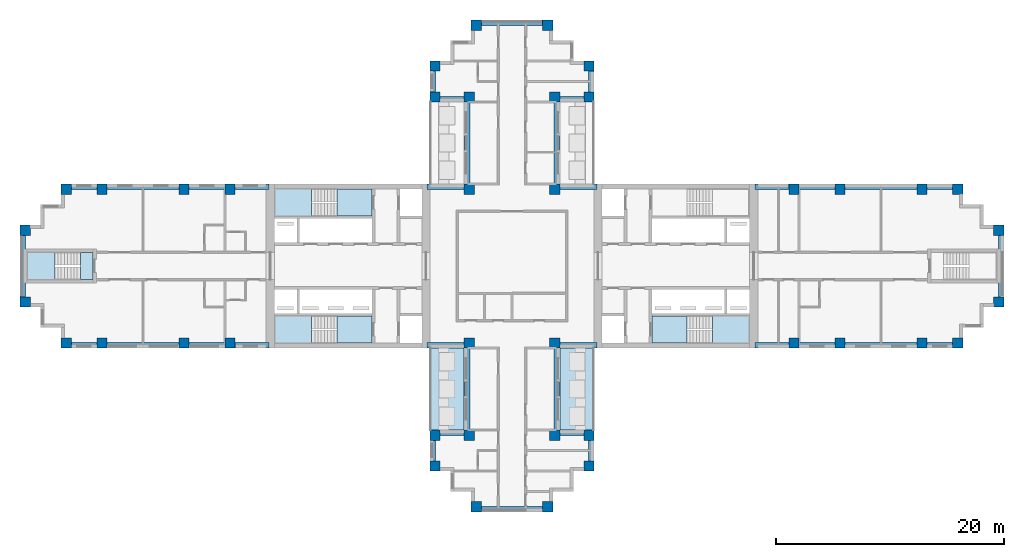
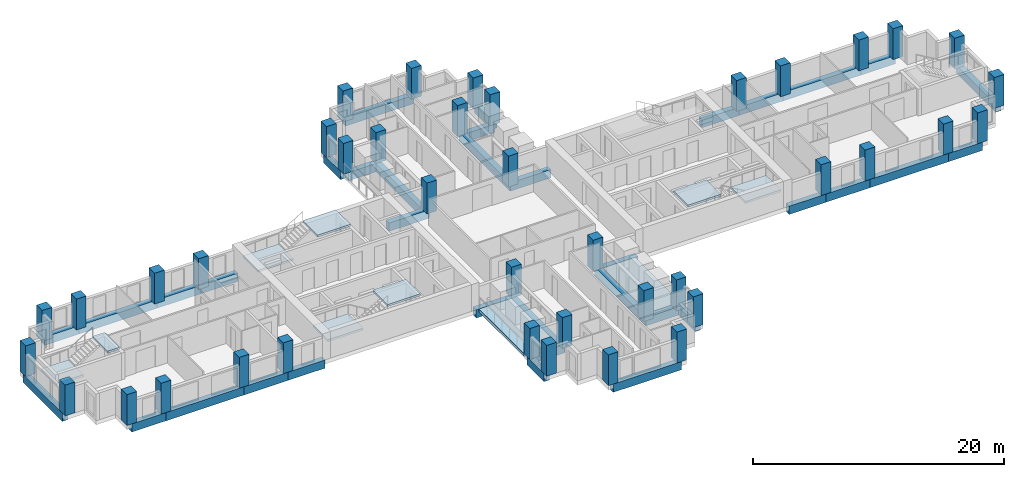
# One storey, part 1 of 11: 40 columns, 36 beams, 10 slabs, 4 elements without a shape of their own.
"""IFC4 building model written with IfcOpenShell, lengths in metres."""

from ifc_helpers import new_model, si_unit, direction, frame, origin, origin_2d, place, context, subcontext, project, spatial, polyline, rectangle, outline, extrude, material, layer, layer_set, material_profile, profile_set, type_object, element, aggregate, save


model = new_model("IFC4")

# Units and contexts
model_context = context("Model", 3, precision=1e-05, world=origin(), true_north=direction((0.0, 1.0)))
body_context = subcontext(model_context, "Body", "Model", "MODEL_VIEW")
ifc_project = project(units=[si_unit("LENGTHUNIT", "METRE"), si_unit("AREAUNIT", "SQUARE_METRE"), si_unit("VOLUMEUNIT", "CUBIC_METRE"), si_unit("PLANEANGLEUNIT", "RADIAN"), si_unit("MASSUNIT", "GRAM", prefix="KILO")], contexts=[model_context])

# Site, building, storey
site_placement = place(None, origin())
site = spatial("IfcSite", under=ifc_project, at=site_placement, CompositionType="ELEMENT")
building_placement = place(site_placement, origin())
building = spatial("IfcBuilding", under=site, at=building_placement, Name="Fustian Cross Tower", CompositionType="ELEMENT")
storey_placement = place(building_placement, frame((0.0, 0.0, 120.300048828125)))
storey = spatial("IfcBuildingStorey", under=building, at=storey_placement, Name="L37", CompositionType="ELEMENT", Elevation=120.300048828125)

# Columns
ifc_material_1 = material(Name="Concrete C50/60", Category="concrete")
ifc_material_profile_1 = material_profile(ifc_material_1, rectangle(XDim=0.89990234375, YDim=0.89990234375, at=origin_2d()), Name="RC 900x900")
ifc_profile_set_1 = profile_set([ifc_material_profile_1], Name="Concrete C50/60")
column_type = type_object("IfcColumnType", Name="COLUMN RC 900x900 C50/60", PredefinedType="COLUMN", material=ifc_profile_set_1)
for number, where, z_axis, x_axis, name in (
    (1, (-42.75, -3.14990234375, 0.0), (0.0, 0.0, 1.0), (1.0, 0.0, 0.0), "COLUMN 001"),
    (2, (-42.75, 3.14990234375, 0.0), (0.0, 0.0, 1.0), (1.0, 0.0, 0.0), "COLUMN 002"),
    (3, (-39.14990234375, -6.75, 0.0), (0.0, 0.0, 1.0), (1.0, 0.0, 0.0), "COLUMN 003"),
    (4, (-39.14990234375, 6.75, 0.0), (0.0, 0.0, 1.0), (1.0, 0.0, 0.0), "COLUMN 004"),
    (5, (-36.0, -6.75, 0.0), (0.0, 0.0, 1.0), (1.0, 0.0, 0.0), "COLUMN 005"),
    (6, (-36.0, 6.75, 0.0), (0.0, 0.0, 1.0), (1.0, 0.0, 0.0), "COLUMN 006"),
    (7, (-28.800048828125, -6.75, 0.0), (0.0, 0.0, 1.0), (1.0, 0.0, 0.0), "COLUMN 007"),
    (8, (-28.800048828125, 6.75, 0.0), (0.0, 0.0, 1.0), (1.0, 0.0, 0.0), "COLUMN 010"),
    (9, (-24.75, -6.75, 0.0), (0.0, 0.0, 1.0), (1.0, 0.0, 0.0), "COLUMN 011"),
    (10, (-24.75, 6.75, 0.0), (0.0, 0.0, 1.0), (1.0, 0.0, 0.0), "COLUMN 012"),
    (11, (-6.75, -17.550048828125, 0.0), (0.0, 0.0, 1.0), (1.0, 0.0, 0.0), "COLUMN 017"),
    (12, (-6.75, -14.85009765625, 0.0), (0.0, 0.0, 1.0), (1.0, 0.0, 0.0), "COLUMN 018"),
    (13, (-6.75, 14.85009765625, 0.0), (0.0, 0.0, 1.0), (1.0, 0.0, 0.0), "COLUMN 019"),
    (14, (-6.75, 17.550048828125, 0.0), (0.0, 0.0, 1.0), (1.0, 0.0, 0.0), "COLUMN 020"),
    (15, (-3.75, -14.85009765625, 0.0), (0.0, 0.0, 1.0), (1.0, 0.0, 0.0), "COLUMN 025"),
    (16, (-3.75, -6.75, 0.0), (0.0, 0.0, 1.0), (1.0, 0.0, 0.0), "COLUMN 026"),
    (17, (-3.75, 6.75, 0.0), (0.0, 0.0, 1.0), (1.0, 0.0, 0.0), "COLUMN 027"),
    (18, (-3.75, 14.85009765625, 0.0), (0.0, 0.0, 1.0), (1.0, 0.0, 0.0), "COLUMN 028"),
    (19, (-3.14990234375, -21.14990234375, 0.0), (0.0, 0.0, 1.0), (1.0, 0.0, 0.0), "COLUMN 030"),
    (20, (-3.14990234375, 21.14990234375, 0.0), (0.0, 0.0, 1.0), (1.0, 0.0, 0.0), "COLUMN 031"),
    (21, (3.14990234375, -21.14990234375, 0.0), (0.0, 0.0, 1.0), (1.0, 0.0, 0.0), "COLUMN 034"),
    (22, (3.14990234375, 21.14990234375, 0.0), (0.0, 0.0, 1.0), (1.0, 0.0, 0.0), "COLUMN 035"),
    (23, (3.75, -14.85009765625, 0.0), (0.0, 0.0, 1.0), (1.0, 0.0, 0.0), "COLUMN 037"),
    (24, (3.75, -6.75, 0.0), (0.0, 0.0, 1.0), (1.0, 0.0, 0.0), "COLUMN 038"),
    (25, (3.75, 6.75, 0.0), (0.0, 0.0, 1.0), (1.0, 0.0, 0.0), "COLUMN 039"),
    (26, (3.75, 14.85009765625, 0.0), (0.0, 0.0, 1.0), (1.0, 0.0, 0.0), "COLUMN 040"),
    (27, (6.75, -17.550048828125, 0.0), (0.0, 0.0, 1.0), (1.0, 0.0, 0.0), "COLUMN 045"),
    (28, (6.75, -14.85009765625, 0.0), (0.0, 0.0, 1.0), (1.0, 0.0, 0.0), "COLUMN 046"),
    (29, (6.75, 14.85009765625, 0.0), (0.0, 0.0, 1.0), (1.0, 0.0, 0.0), "COLUMN 047"),
    (30, (6.75, 17.550048828125, 0.0), (0.0, 0.0, 1.0), (1.0, 0.0, 0.0), "COLUMN 048"),
    (31, (24.75, -6.75, 0.0), (0.0, 0.0, 1.0), (1.0, 0.0, 0.0), "COLUMN 053"),
    (32, (24.75, 6.75, 0.0), (0.0, 0.0, 1.0), (1.0, 0.0, 0.0), "COLUMN 054"),
    (33, (28.800048828125, -6.75, 0.0), (0.0, 0.0, 1.0), (1.0, 0.0, 0.0), "COLUMN 055"),
    (34, (28.800048828125, 6.75, 0.0), (0.0, 0.0, 1.0), (1.0, 0.0, 0.0), "COLUMN 058"),
    (35, (36.0, -6.75, 0.0), (0.0, 0.0, 1.0), (1.0, 0.0, 0.0), "COLUMN 059"),
    (36, (36.0, 6.75, 0.0), (0.0, 0.0, 1.0), (1.0, 0.0, 0.0), "COLUMN 060"),
    (37, (39.14990234375, -6.75, 0.0), (0.0, 0.0, 1.0), (1.0, 0.0, 0.0), "COLUMN 061"),
    (38, (39.14990234375, 6.75, 0.0), (0.0, 0.0, 1.0), (1.0, 0.0, 0.0), "COLUMN 062"),
    (39, (42.75, -3.14990234375, 0.0), (0.0, 0.0, 1.0), (1.0, 0.0, 0.0), "COLUMN 063"),
    (40, (42.75, 3.14990234375, 0.0), (0.0, 0.0, 1.0), (1.0, 0.0, 0.0), "COLUMN 064"),
):
    element("IfcColumn", number, at=place(storey_placement, frame(where, z_axis=z_axis, x_axis=x_axis)), inside=storey, type_object=column_type, Name=name, PredefinedType="COLUMN", context=body_context, shape_type="SweptSolid", body=[
        extrude(rectangle(XDim=0.89990234375, YDim=0.89990234375, at=origin_2d()), origin(), (0.0, 0.0, 1.0), 3.0),
    ])

# Beams
ifc_material_2 = material(Name="Concrete C50/60", Category="concrete")
ifc_material_profile_2 = material_profile(ifc_material_2, rectangle(XDim=0.5, YDim=0.800048828125, at=origin_2d()), Name="RC 500x800")
ifc_profile_set_2 = profile_set([ifc_material_profile_2], Name="Concrete C50/60")
beam_type = type_object("IfcBeamType", Name="EDGE BEAM RC 500x800 C50/60", PredefinedType="SPANDREL", material=ifc_profile_set_2)
beam_1_placement = place(storey_placement, frame((21.35009765625, -6.949951171875, -0.400146484375), z_axis=(1.0, 0.0, 0.0), x_axis=(0.0, 1.0, 0.0)))
element("IfcBeam", 41, at=beam_1_placement, inside=storey, type_object=beam_type, Name="EDGE BEAM L37-01", PredefinedType="SPANDREL", context=body_context, shape_type="SweptSolid", body=[
    extrude(rectangle(XDim=0.5, YDim=0.800048828125, at=origin_2d()), origin(), (0.0, 0.0, 1.0), 3.39990234375),
])
beam_2_placement = place(storey_placement, frame((24.75, -6.949951171875, -0.400146484375), z_axis=(1.0, 0.0, 0.0), x_axis=(0.0, 1.0, 0.0)))
element("IfcBeam", 42, at=beam_2_placement, inside=storey, type_object=beam_type, Name="EDGE BEAM L37-02", PredefinedType="SPANDREL", context=body_context, shape_type="SweptSolid", body=[
    extrude(rectangle(XDim=0.5, YDim=0.800048828125, at=origin_2d()), origin(), (0.0, 0.0, 1.0), 4.050048828125),
])
beam_3_placement = place(storey_placement, frame((28.800048828125, -6.949951171875, -0.400146484375), z_axis=(1.0, 0.0, 0.0), x_axis=(0.0, 1.0, 0.0)))
element("IfcBeam", 43, at=beam_3_placement, inside=storey, type_object=beam_type, Name="EDGE BEAM L37-03", PredefinedType="SPANDREL", context=body_context, shape_type="SweptSolid", body=[
    extrude(rectangle(XDim=0.5, YDim=0.800048828125, at=origin_2d()), origin(), (0.0, 0.0, 1.0), 7.199951171875),
])
beam_4_placement = place(storey_placement, frame((36.0, -6.949951171875, -0.400146484375), z_axis=(1.0, 0.0, 0.0), x_axis=(0.0, 1.0, 0.0)))
element("IfcBeam", 44, at=beam_4_placement, inside=storey, type_object=beam_type, Name="EDGE BEAM L37-04", PredefinedType="SPANDREL", context=body_context, shape_type="SweptSolid", body=[
    extrude(rectangle(XDim=0.5, YDim=0.800048828125, at=origin_2d()), origin(), (0.0, 0.0, 1.0), 3.14990234375),
])
beam_5_placement = place(storey_placement, frame((42.949951171875, -3.14990234375, -0.400146484375), z_axis=(0.0, 1.0, 0.0), x_axis=(-1.0, 0.0, 0.0)))
element("IfcBeam", 45, at=beam_5_placement, inside=storey, type_object=beam_type, Name="EDGE BEAM L37-05", PredefinedType="SPANDREL", context=body_context, shape_type="SweptSolid", body=[
    extrude(rectangle(XDim=0.5, YDim=0.800048828125, at=origin_2d()), origin(), (0.0, 0.0, 1.0), 6.2998046875),
])
beam_6_placement = place(storey_placement, frame((39.14990234375, 6.949951171875, -0.400146484375), z_axis=(-1.0, 0.0, 0.0), x_axis=(0.0, -1.0, 0.0)))
element("IfcBeam", 46, at=beam_6_placement, inside=storey, type_object=beam_type, Name="EDGE BEAM L37-06", PredefinedType="SPANDREL", context=body_context, shape_type="SweptSolid", body=[
    extrude(rectangle(XDim=0.5, YDim=0.800048828125, at=origin_2d()), origin(), (0.0, 0.0, 1.0), 3.14990234375),
])
beam_7_placement = place(storey_placement, frame((36.0, 6.949951171875, -0.400146484375), z_axis=(-1.0, 0.0, 0.0), x_axis=(0.0, -1.0, 0.0)))
element("IfcBeam", 47, at=beam_7_placement, inside=storey, type_object=beam_type, Name="EDGE BEAM L37-07", PredefinedType="SPANDREL", context=body_context, shape_type="SweptSolid", body=[
    extrude(rectangle(XDim=0.5, YDim=0.800048828125, at=origin_2d()), origin(), (0.0, 0.0, 1.0), 7.199951171875),
])
beam_8_placement = place(storey_placement, frame((28.800048828125, 6.949951171875, -0.400146484375), z_axis=(-1.0, 0.0, 0.0), x_axis=(0.0, -1.0, 0.0)))
element("IfcBeam", 48, at=beam_8_placement, inside=storey, type_object=beam_type, Name="EDGE BEAM L37-08", PredefinedType="SPANDREL", context=body_context, shape_type="SweptSolid", body=[
    extrude(rectangle(XDim=0.5, YDim=0.800048828125, at=origin_2d()), origin(), (0.0, 0.0, 1.0), 4.050048828125),
])
beam_9_placement = place(storey_placement, frame((24.75, 6.949951171875, -0.400146484375), z_axis=(-1.0, 0.0, 0.0), x_axis=(0.0, -1.0, 0.0)))
element("IfcBeam", 49, at=beam_9_placement, inside=storey, type_object=beam_type, Name="EDGE BEAM L37-09", PredefinedType="SPANDREL", context=body_context, shape_type="SweptSolid", body=[
    extrude(rectangle(XDim=0.5, YDim=0.800048828125, at=origin_2d()), origin(), (0.0, 0.0, 1.0), 3.39990234375),
])
beam_10_placement = place(storey_placement, frame((7.449951171875, 6.949951171875, -0.400146484375), z_axis=(-1.0, 0.0, 0.0), x_axis=(0.0, -1.0, 0.0)))
element("IfcBeam", 50, at=beam_10_placement, inside=storey, type_object=beam_type, Name="EDGE BEAM L37-10", PredefinedType="SPANDREL", context=body_context, shape_type="SweptSolid", body=[
    extrude(rectangle(XDim=0.5, YDim=0.800048828125, at=origin_2d()), origin(), (0.0, 0.0, 1.0), 3.699951171875),
])
beam_11_placement = place(storey_placement, frame((3.949951171875, 6.75, -0.400146484375), z_axis=(0.0, 1.0, 0.0), x_axis=(-1.0, 0.0, 0.0)))
element("IfcBeam", 51, at=beam_11_placement, inside=storey, type_object=beam_type, Name="EDGE BEAM L37-11", PredefinedType="SPANDREL", context=body_context, shape_type="SweptSolid", body=[
    extrude(rectangle(XDim=0.5, YDim=0.800048828125, at=origin_2d()), origin(), (0.0, 0.0, 1.0), 8.10009765625),
])
beam_12_placement = place(storey_placement, frame((3.75, 14.64990234375, -0.400146484375), z_axis=(1.0, 0.0, 0.0), x_axis=(0.0, 1.0, 0.0)))
element("IfcBeam", 52, at=beam_12_placement, inside=storey, type_object=beam_type, Name="EDGE BEAM L37-12", PredefinedType="SPANDREL", context=body_context, shape_type="SweptSolid", body=[
    extrude(rectangle(XDim=0.5, YDim=0.800048828125, at=origin_2d()), origin(), (0.0, 0.0, 1.0), 3.0),
])
beam_13_placement = place(storey_placement, frame((6.949951171875, 14.85009765625, -0.400146484375), z_axis=(0.0, 1.0, 0.0), x_axis=(-1.0, 0.0, 0.0)))
element("IfcBeam", 53, at=beam_13_placement, inside=storey, type_object=beam_type, Name="EDGE BEAM L37-13", PredefinedType="SPANDREL", context=body_context, shape_type="SweptSolid", body=[
    extrude(rectangle(XDim=0.5, YDim=0.800048828125, at=origin_2d()), origin(), (0.0, 0.0, 1.0), 2.699951171875),
])
beam_14_placement = place(storey_placement, frame((3.14990234375, 21.35009765625, -0.400146484375), z_axis=(-1.0, 0.0, 0.0), x_axis=(0.0, -1.0, 0.0)))
element("IfcBeam", 54, at=beam_14_placement, inside=storey, type_object=beam_type, Name="EDGE BEAM L37-14", PredefinedType="SPANDREL", context=body_context, shape_type="SweptSolid", body=[
    extrude(rectangle(XDim=0.5, YDim=0.800048828125, at=origin_2d()), origin(), (0.0, 0.0, 1.0), 6.2998046875),
])
beam_15_placement = place(storey_placement, frame((-6.949951171875, 17.550048828125, -0.400146484375), z_axis=(0.0, -1.0, 0.0), x_axis=(1.0, 0.0, 0.0)))
element("IfcBeam", 55, at=beam_15_placement, inside=storey, type_object=beam_type, Name="EDGE BEAM L37-15", PredefinedType="SPANDREL", context=body_context, shape_type="SweptSolid", body=[
    extrude(rectangle(XDim=0.5, YDim=0.800048828125, at=origin_2d()), origin(), (0.0, 0.0, 1.0), 2.699951171875),
])
beam_16_placement = place(storey_placement, frame((-6.75, 14.64990234375, -0.400146484375), z_axis=(1.0, 0.0, 0.0), x_axis=(0.0, 1.0, 0.0)))
element("IfcBeam", 56, at=beam_16_placement, inside=storey, type_object=beam_type, Name="EDGE BEAM L37-16", PredefinedType="SPANDREL", context=body_context, shape_type="SweptSolid", body=[
    extrude(rectangle(XDim=0.5, YDim=0.800048828125, at=origin_2d()), origin(), (0.0, 0.0, 1.0), 3.0),
])
beam_17_placement = place(storey_placement, frame((-3.949951171875, 14.85009765625, -0.400146484375), z_axis=(0.0, -1.0, 0.0), x_axis=(1.0, 0.0, 0.0)))
element("IfcBeam", 57, at=beam_17_placement, inside=storey, type_object=beam_type, Name="EDGE BEAM L37-17", PredefinedType="SPANDREL", context=body_context, shape_type="SweptSolid", body=[
    extrude(rectangle(XDim=0.5, YDim=0.800048828125, at=origin_2d()), origin(), (0.0, 0.0, 1.0), 8.10009765625),
])
beam_18_placement = place(storey_placement, frame((-3.75, 6.949951171875, -0.400146484375), z_axis=(-1.0, 0.0, 0.0), x_axis=(0.0, -1.0, 0.0)))
element("IfcBeam", 58, at=beam_18_placement, inside=storey, type_object=beam_type, Name="EDGE BEAM L37-18", PredefinedType="SPANDREL", context=body_context, shape_type="SweptSolid", body=[
    extrude(rectangle(XDim=0.5, YDim=0.800048828125, at=origin_2d()), origin(), (0.0, 0.0, 1.0), 3.699951171875),
])
beam_19_placement = place(storey_placement, frame((-21.35009765625, 6.949951171875, -0.400146484375), z_axis=(-1.0, 0.0, 0.0), x_axis=(0.0, -1.0, 0.0)))
element("IfcBeam", 59, at=beam_19_placement, inside=storey, type_object=beam_type, Name="EDGE BEAM L37-19", PredefinedType="SPANDREL", context=body_context, shape_type="SweptSolid", body=[
    extrude(rectangle(XDim=0.5, YDim=0.800048828125, at=origin_2d()), origin(), (0.0, 0.0, 1.0), 3.39990234375),
])
beam_20_placement = place(storey_placement, frame((-24.75, 6.949951171875, -0.400146484375), z_axis=(-1.0, 0.0, 0.0), x_axis=(0.0, -1.0, 0.0)))
element("IfcBeam", 60, at=beam_20_placement, inside=storey, type_object=beam_type, Name="EDGE BEAM L37-20", PredefinedType="SPANDREL", context=body_context, shape_type="SweptSolid", body=[
    extrude(rectangle(XDim=0.5, YDim=0.800048828125, at=origin_2d()), origin(), (0.0, 0.0, 1.0), 4.050048828125),
])
beam_21_placement = place(storey_placement, frame((-28.800048828125, 6.949951171875, -0.400146484375), z_axis=(-1.0, 0.0, 0.0), x_axis=(0.0, -1.0, 0.0)))
element("IfcBeam", 61, at=beam_21_placement, inside=storey, type_object=beam_type, Name="EDGE BEAM L37-21", PredefinedType="SPANDREL", context=body_context, shape_type="SweptSolid", body=[
    extrude(rectangle(XDim=0.5, YDim=0.800048828125, at=origin_2d()), origin(), (0.0, 0.0, 1.0), 7.199951171875),
])
beam_22_placement = place(storey_placement, frame((-36.0, 6.949951171875, -0.400146484375), z_axis=(-1.0, 0.0, 0.0), x_axis=(0.0, -1.0, 0.0)))
element("IfcBeam", 62, at=beam_22_placement, inside=storey, type_object=beam_type, Name="EDGE BEAM L37-22", PredefinedType="SPANDREL", context=body_context, shape_type="SweptSolid", body=[
    extrude(rectangle(XDim=0.5, YDim=0.800048828125, at=origin_2d()), origin(), (0.0, 0.0, 1.0), 3.14990234375),
])
beam_23_placement = place(storey_placement, frame((-42.949951171875, 3.14990234375, -0.400146484375), z_axis=(0.0, -1.0, 0.0), x_axis=(1.0, 0.0, 0.0)))
element("IfcBeam", 63, at=beam_23_placement, inside=storey, type_object=beam_type, Name="EDGE BEAM L37-23", PredefinedType="SPANDREL", context=body_context, shape_type="SweptSolid", body=[
    extrude(rectangle(XDim=0.5, YDim=0.800048828125, at=origin_2d()), origin(), (0.0, 0.0, 1.0), 6.2998046875),
])
beam_24_placement = place(storey_placement, frame((-39.14990234375, -6.949951171875, -0.400146484375), z_axis=(1.0, 0.0, 0.0), x_axis=(0.0, 1.0, 0.0)))
element("IfcBeam", 64, at=beam_24_placement, inside=storey, type_object=beam_type, Name="EDGE BEAM L37-24", PredefinedType="SPANDREL", context=body_context, shape_type="SweptSolid", body=[
    extrude(rectangle(XDim=0.5, YDim=0.800048828125, at=origin_2d()), origin(), (0.0, 0.0, 1.0), 3.14990234375),
])
beam_25_placement = place(storey_placement, frame((-36.0, -6.949951171875, -0.400146484375), z_axis=(1.0, 0.0, 0.0), x_axis=(0.0, 1.0, 0.0)))
element("IfcBeam", 65, at=beam_25_placement, inside=storey, type_object=beam_type, Name="EDGE BEAM L37-25", PredefinedType="SPANDREL", context=body_context, shape_type="SweptSolid", body=[
    extrude(rectangle(XDim=0.5, YDim=0.800048828125, at=origin_2d()), origin(), (0.0, 0.0, 1.0), 7.199951171875),
])
beam_26_placement = place(storey_placement, frame((-28.800048828125, -6.949951171875, -0.400146484375), z_axis=(1.0, 0.0, 0.0), x_axis=(0.0, 1.0, 0.0)))
element("IfcBeam", 66, at=beam_26_placement, inside=storey, type_object=beam_type, Name="EDGE BEAM L37-26", PredefinedType="SPANDREL", context=body_context, shape_type="SweptSolid", body=[
    extrude(rectangle(XDim=0.5, YDim=0.800048828125, at=origin_2d()), origin(), (0.0, 0.0, 1.0), 4.050048828125),
])
beam_27_placement = place(storey_placement, frame((-24.75, -6.949951171875, -0.400146484375), z_axis=(1.0, 0.0, 0.0), x_axis=(0.0, 1.0, 0.0)))
element("IfcBeam", 67, at=beam_27_placement, inside=storey, type_object=beam_type, Name="EDGE BEAM L37-27", PredefinedType="SPANDREL", context=body_context, shape_type="SweptSolid", body=[
    extrude(rectangle(XDim=0.5, YDim=0.800048828125, at=origin_2d()), origin(), (0.0, 0.0, 1.0), 3.39990234375),
])
beam_28_placement = place(storey_placement, frame((-7.449951171875, -6.949951171875, -0.400146484375), z_axis=(1.0, 0.0, 0.0), x_axis=(0.0, 1.0, 0.0)))
element("IfcBeam", 68, at=beam_28_placement, inside=storey, type_object=beam_type, Name="EDGE BEAM L37-28", PredefinedType="SPANDREL", context=body_context, shape_type="SweptSolid", body=[
    extrude(rectangle(XDim=0.5, YDim=0.800048828125, at=origin_2d()), origin(), (0.0, 0.0, 1.0), 3.699951171875),
])
beam_29_placement = place(storey_placement, frame((-3.949951171875, -6.75, -0.400146484375), z_axis=(0.0, -1.0, 0.0), x_axis=(1.0, 0.0, 0.0)))
element("IfcBeam", 69, at=beam_29_placement, inside=storey, type_object=beam_type, Name="EDGE BEAM L37-29", PredefinedType="SPANDREL", context=body_context, shape_type="SweptSolid", body=[
    extrude(rectangle(XDim=0.5, YDim=0.800048828125, at=origin_2d()), origin(), (0.0, 0.0, 1.0), 8.10009765625),
])
beam_30_placement = place(storey_placement, frame((-3.75, -14.64990234375, -0.400146484375), z_axis=(-1.0, 0.0, 0.0), x_axis=(0.0, -1.0, 0.0)))
element("IfcBeam", 70, at=beam_30_placement, inside=storey, type_object=beam_type, Name="EDGE BEAM L37-30", PredefinedType="SPANDREL", context=body_context, shape_type="SweptSolid", body=[
    extrude(rectangle(XDim=0.5, YDim=0.800048828125, at=origin_2d()), origin(), (0.0, 0.0, 1.0), 3.0),
])
beam_31_placement = place(storey_placement, frame((-6.949951171875, -14.85009765625, -0.400146484375), z_axis=(0.0, -1.0, 0.0), x_axis=(1.0, 0.0, 0.0)))
element("IfcBeam", 71, at=beam_31_placement, inside=storey, type_object=beam_type, Name="EDGE BEAM L37-31", PredefinedType="SPANDREL", context=body_context, shape_type="SweptSolid", body=[
    extrude(rectangle(XDim=0.5, YDim=0.800048828125, at=origin_2d()), origin(), (0.0, 0.0, 1.0), 2.699951171875),
])
beam_32_placement = place(storey_placement, frame((-3.14990234375, -21.35009765625, -0.400146484375), z_axis=(1.0, 0.0, 0.0), x_axis=(0.0, 1.0, 0.0)))
element("IfcBeam", 72, at=beam_32_placement, inside=storey, type_object=beam_type, Name="EDGE BEAM L37-32", PredefinedType="SPANDREL", context=body_context, shape_type="SweptSolid", body=[
    extrude(rectangle(XDim=0.5, YDim=0.800048828125, at=origin_2d()), origin(), (0.0, 0.0, 1.0), 6.2998046875),
])
beam_33_placement = place(storey_placement, frame((6.949951171875, -17.550048828125, -0.400146484375), z_axis=(0.0, 1.0, 0.0), x_axis=(-1.0, 0.0, 0.0)))
element("IfcBeam", 73, at=beam_33_placement, inside=storey, type_object=beam_type, Name="EDGE BEAM L37-33", PredefinedType="SPANDREL", context=body_context, shape_type="SweptSolid", body=[
    extrude(rectangle(XDim=0.5, YDim=0.800048828125, at=origin_2d()), origin(), (0.0, 0.0, 1.0), 2.699951171875),
])
beam_34_placement = place(storey_placement, frame((6.75, -14.64990234375, -0.400146484375), z_axis=(-1.0, 0.0, 0.0), x_axis=(0.0, -1.0, 0.0)))
element("IfcBeam", 74, at=beam_34_placement, inside=storey, type_object=beam_type, Name="EDGE BEAM L37-34", PredefinedType="SPANDREL", context=body_context, shape_type="SweptSolid", body=[
    extrude(rectangle(XDim=0.5, YDim=0.800048828125, at=origin_2d()), origin(), (0.0, 0.0, 1.0), 3.0),
])
beam_35_placement = place(storey_placement, frame((3.949951171875, -14.85009765625, -0.400146484375), z_axis=(0.0, 1.0, 0.0), x_axis=(-1.0, 0.0, 0.0)))
element("IfcBeam", 75, at=beam_35_placement, inside=storey, type_object=beam_type, Name="EDGE BEAM L37-35", PredefinedType="SPANDREL", context=body_context, shape_type="SweptSolid", body=[
    extrude(rectangle(XDim=0.5, YDim=0.800048828125, at=origin_2d()), origin(), (0.0, 0.0, 1.0), 8.10009765625),
])
beam_36_placement = place(storey_placement, frame((3.75, -6.949951171875, -0.400146484375), z_axis=(1.0, 0.0, 0.0), x_axis=(0.0, 1.0, 0.0)))
element("IfcBeam", 76, at=beam_36_placement, inside=storey, type_object=beam_type, Name="EDGE BEAM L37-36", PredefinedType="SPANDREL", context=body_context, shape_type="SweptSolid", body=[
    extrude(rectangle(XDim=0.5, YDim=0.800048828125, at=origin_2d()), origin(), (0.0, 0.0, 1.0), 3.699951171875),
])

# Slabs
ifc_material_3 = material(Name="Concrete C40/50", Category="concrete")
ifc_layer_1 = layer(ifc_material_3, 0.300048828125)
ifc_layer_set_1 = layer_set([ifc_layer_1], Name="Concrete C40/50")
slab_type_1 = type_object("IfcSlabType", Name="BS1 BALCONY SLAB 300", PredefinedType="FLOOR", material=ifc_layer_set_1)
slab_1_placement = place(storey_placement, frame((0.0, 0.0, -0.300048828125)))
element("IfcSlab", 77, at=slab_1_placement, inside=storey, type_object=slab_type_1, Name="Balcony slab", PredefinedType="FLOOR", context=body_context, shape_type="SweptSolid", body=[
    extrude(outline(polyline([(4.199951171875, -14.39990234375), (7.199951171875, -14.39990234375), (7.199951171875, -7.199951171875), (4.199951171875, -7.199951171875), (4.199951171875, -14.39990234375)])), origin(), (0.0, 0.0, 1.0), 0.300048828125),
])
slab_2_placement = place(storey_placement, frame((0.0, 0.0, -0.300048828125)))
element("IfcSlab", 78, at=slab_2_placement, inside=storey, type_object=slab_type_1, Name="Balcony slab", PredefinedType="FLOOR", context=body_context, shape_type="SweptSolid", body=[
    extrude(outline(polyline([(-7.199951171875, -14.39990234375), (-4.199951171875, -14.39990234375), (-4.199951171875, -7.199951171875), (-7.199951171875, -7.199951171875), (-7.199951171875, -14.39990234375)])), origin(), (0.0, 0.0, 1.0), 0.300048828125),
])

# Stair, slabs
ifc_material_4 = material(Name="Concrete C50/60", Category="concrete")
stair_type_1 = type_object("IfcStairType", Name="STAIR 1150 HALF TURN", PredefinedType="HALF_TURN_STAIR", material=ifc_material_4)
stair_1_placement = place(storey_placement, origin())
stair_1 = element("IfcStair", 79, at=stair_1_placement, inside=storey, type_object=stair_type_1, Name="Stair ST2", PredefinedType="HALF_TURN_STAIR")
ifc_material_5 = material(Name="Concrete C50/60", Category="concrete")
ifc_layer_2 = layer(ifc_material_5, 0.199951171875)
ifc_layer_set_2 = layer_set([ifc_layer_2], Name="Concrete C50/60")
slab_type_2 = type_object("IfcSlabType", Name="STAIR LANDING", PredefinedType="LANDING", material=ifc_layer_set_2)
slab_3_placement = place(storey_placement, frame((0.0, 0.0, 1.300048828125)))
slab_3 = element("IfcSlab", 80, at=slab_3_placement, type_object=slab_type_2, Name="ST2 landing 1", PredefinedType="LANDING", context=body_context, shape_type="SweptSolid", body=[
    extrude(outline(polyline([(17.590087890625, -4.39990234375), (20.85009765625, -4.39990234375), (20.85009765625, -6.75), (17.590087890625, -6.75), (17.590087890625, -4.39990234375)])), origin(), (0.0, 0.0, 1.0), 0.199951171875),
])
slab_4_placement = place(storey_placement, frame((0.0, 0.0, 2.800048828125)))
slab_4 = element("IfcSlab", 81, at=slab_4_placement, type_object=slab_type_2, Name="ST2 landing 2", PredefinedType="LANDING", context=body_context, shape_type="SweptSolid", body=[
    extrude(outline(polyline([(12.300048828125, -4.39990234375), (15.35009765625, -4.39990234375), (15.35009765625, -6.75), (12.300048828125, -6.75), (12.300048828125, -4.39990234375)])), origin(), (0.0, 0.0, 1.0), 0.199951171875),
])
aggregate(stair_1, [slab_3, slab_4])

stair_2_placement = place(storey_placement, origin())
stair_2 = element("IfcStair", 82, at=stair_2_placement, inside=storey, type_object=stair_type_1, Name="Stair ST3", PredefinedType="HALF_TURN_STAIR")
slab_5_placement = place(storey_placement, frame((0.0, 0.0, 1.300048828125)))
slab_5 = element("IfcSlab", 83, at=slab_5_placement, type_object=slab_type_2, Name="ST3 landing 1", PredefinedType="LANDING", context=body_context, shape_type="SweptSolid", body=[
    extrude(outline(polyline([(-17.590087890625, 4.39990234375), (-20.85009765625, 4.39990234375), (-20.85009765625, 6.75), (-17.590087890625, 6.75), (-17.590087890625, 4.39990234375)])), origin(), (0.0, 0.0, 1.0), 0.199951171875),
])
slab_6_placement = place(storey_placement, frame((0.0, 0.0, 2.800048828125)))
slab_6 = element("IfcSlab", 84, at=slab_6_placement, type_object=slab_type_2, Name="ST3 landing 2", PredefinedType="LANDING", context=body_context, shape_type="SweptSolid", body=[
    extrude(outline(polyline([(-12.300048828125, 4.39990234375), (-15.35009765625, 4.39990234375), (-15.35009765625, 6.75), (-12.300048828125, 6.75), (-12.300048828125, 4.39990234375)])), origin(), (0.0, 0.0, 1.0), 0.199951171875),
])
aggregate(stair_2, [slab_5, slab_6])

stair_3_placement = place(storey_placement, origin())
stair_3 = element("IfcStair", 85, at=stair_3_placement, inside=storey, type_object=stair_type_1, Name="Stair ST4", PredefinedType="HALF_TURN_STAIR")
slab_7_placement = place(storey_placement, frame((0.0, 0.0, 1.300048828125)))
slab_7 = element("IfcSlab", 86, at=slab_7_placement, type_object=slab_type_2, Name="ST4 landing 1", PredefinedType="LANDING", context=body_context, shape_type="SweptSolid", body=[
    extrude(outline(polyline([(-17.590087890625, -4.39990234375), (-20.85009765625, -4.39990234375), (-20.85009765625, -6.75), (-17.590087890625, -6.75), (-17.590087890625, -4.39990234375)])), origin(), (0.0, 0.0, 1.0), 0.199951171875),
])
slab_8_placement = place(storey_placement, frame((0.0, 0.0, 2.800048828125)))
slab_8 = element("IfcSlab", 87, at=slab_8_placement, type_object=slab_type_2, Name="ST4 landing 2", PredefinedType="LANDING", context=body_context, shape_type="SweptSolid", body=[
    extrude(outline(polyline([(-12.300048828125, -4.39990234375), (-15.35009765625, -4.39990234375), (-15.35009765625, -6.75), (-12.300048828125, -6.75), (-12.300048828125, -4.39990234375)])), origin(), (0.0, 0.0, 1.0), 0.199951171875),
])
aggregate(stair_3, [slab_7, slab_8])

ifc_material_6 = material(Name="Concrete C50/60", Category="concrete")
stair_type_2 = type_object("IfcStairType", Name="STAIR 1100 HALF TURN", PredefinedType="HALF_TURN_STAIR", material=ifc_material_6)
stair_4_placement = place(storey_placement, origin())
stair_4 = element("IfcStair", 88, at=stair_4_placement, inside=storey, type_object=stair_type_2, Name="Stair ST9", PredefinedType="HALF_TURN_STAIR")
slab_9_placement = place(storey_placement, frame((0.0, 0.0, 1.300048828125)))
slab_9 = element("IfcSlab", 89, at=slab_9_placement, type_object=slab_type_2, Name="ST9 landing 1", PredefinedType="LANDING", context=body_context, shape_type="SweptSolid", body=[
    extrude(outline(polyline([(-40.139892578125, -1.199951171875), (-42.60009765625, -1.199951171875), (-42.60009765625, 1.199951171875), (-40.139892578125, 1.199951171875), (-40.139892578125, -1.199951171875)])), origin(), (0.0, 0.0, 1.0), 0.199951171875),
])
slab_10_placement = place(storey_placement, frame((0.0, 0.0, 2.800048828125)))
slab_10 = element("IfcSlab", 90, at=slab_10_placement, type_object=slab_type_2, Name="ST9 landing 2", PredefinedType="LANDING", context=body_context, shape_type="SweptSolid", body=[
    extrude(outline(polyline([(-36.800048828125, -1.199951171875), (-37.89990234375, -1.199951171875), (-37.89990234375, 1.199951171875), (-36.800048828125, 1.199951171875), (-36.800048828125, -1.199951171875)])), origin(), (0.0, 0.0, 1.0), 0.199951171875),
])
aggregate(stair_4, [slab_9, slab_10])

save(model, "model.ifc")
